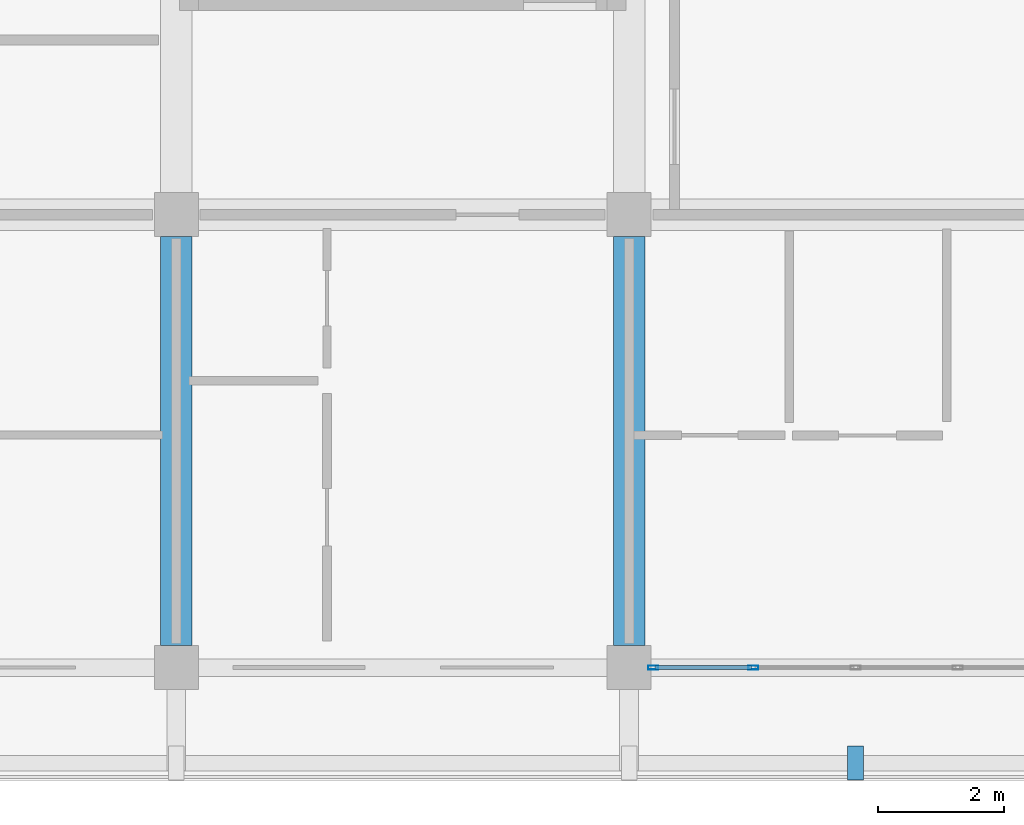
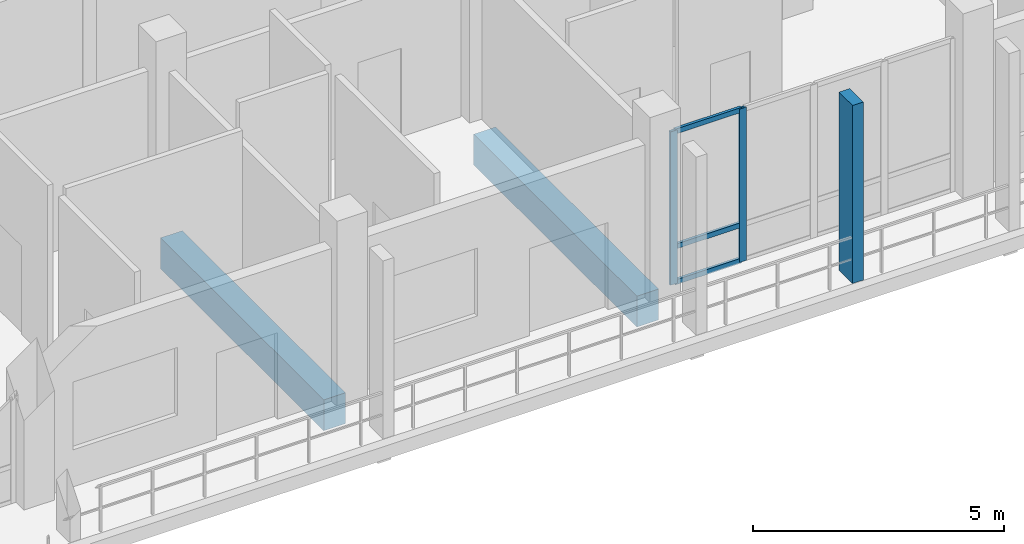
# One storey, part 48 of 110: 6 members, 2 beams, 1 element without a shape of its own.
"""IFC4 building model written with IfcOpenShell, lengths in metres."""

from ifc_helpers import new_model, si_unit, direction, frame, origin, origin_2d, place, context, subcontext, project, spatial, rectangle, hollow_rectangle, extrude, material, material_profile, profile_set, type_object, element, aggregate, save


model = new_model("IFC4")

# Units and contexts
model_context = context("Model", 3, precision=1e-05, world=origin(), true_north=direction((0.0, 1.0)))
body_context = subcontext(model_context, "Body", "Model", "MODEL_VIEW")
ifc_project = project(units=[si_unit("LENGTHUNIT", "METRE"), si_unit("AREAUNIT", "SQUARE_METRE"), si_unit("VOLUMEUNIT", "CUBIC_METRE"), si_unit("PLANEANGLEUNIT", "RADIAN"), si_unit("MASSUNIT", "GRAM", prefix="KILO")], contexts=[model_context])

# Site, building, storey
site_placement = place(None, origin())
site = spatial("IfcSite", under=ifc_project, at=site_placement, CompositionType="ELEMENT")
building_placement = place(site_placement, origin())
building = spatial("IfcBuilding", under=site, at=building_placement, Name="Suanplinth Sawtooth Commons", CompositionType="ELEMENT")
storey_placement = place(building_placement, frame((0.0, 0.0, 4.5)))
storey = spatial("IfcBuildingStorey", under=building, at=storey_placement, Name="L01", CompositionType="ELEMENT", Elevation=4.5)

# Beams
ifc_material_1 = material(Name="Concrete C40/50", Category="concrete")
ifc_material_profile_1 = material_profile(ifc_material_1, rectangle(XDim=0.5, YDim=0.75, at=origin_2d()), Name="RC-GDR 500x750")
ifc_profile_set_1 = profile_set([ifc_material_profile_1], Name="Concrete C40/50")
beam_type = type_object("IfcBeamType", Name="B-03", PredefinedType="USERDEFINED", material=ifc_profile_set_1)
for number, where, z_axis, x_axis, name in (
    (1, (158.39990234375, 0.35009765625, -0.675048828125), (0.0, 1.0, 0.0), (-1.0, 0.0, 0.0), "BMY-L01-C-22-0"),
    (2, (165.60009765625, 0.35009765625, -0.675048828125), (0.0, 1.0, 0.0), (-1.0, 0.0, 0.0), "BMY-L01-C-23-0"),
):
    element("IfcBeam", number, at=place(storey_placement, frame(where, z_axis=z_axis, x_axis=x_axis)), inside=storey, type_object=beam_type, Name=name, ObjectType="GIRDER", PredefinedType="USERDEFINED", context=body_context, shape_type="SweptSolid", body=[
        extrude(rectangle(XDim=0.5, YDim=0.75, at=origin_2d()), origin(), (0.0, 0.0, 1.0), 6.5),
    ])

# Member
ifc_material_2 = material(Name="Pigmented precast concrete C40/50", Category="concrete")
ifc_material_profile_2 = material_profile(ifc_material_2, rectangle(XDim=0.25, YDim=0.5400390625, at=origin_2d()), Name="PC-FIN 250x540")
ifc_profile_set_2 = profile_set([ifc_material_profile_2], Name="Pigmented precast concrete C40/50")
member_type_1 = type_object("IfcMemberType", Name="M-11", PredefinedType="USERDEFINED", material=ifc_profile_set_2)
member_1_placement = place(storey_placement, frame((169.199951171875, -1.52001953125, 0.0), z_axis=(0.0, 0.0, 1.0), x_axis=(1.0, 0.0, 0.0)))
element("IfcMember", 3, at=member_1_placement, inside=storey, type_object=member_type_1, Name="Upright Solar Blade L01-C-S-07", ObjectType="SHADING FIN", PredefinedType="USERDEFINED", context=body_context, shape_type="SweptSolid", body=[
    extrude(rectangle(XDim=0.25, YDim=0.5400390625, at=origin_2d()), origin(), (0.0, 0.0, 1.0), 4.330078125),
])

# Curtain wall, members
ifc_material_3 = material(Name="Anodized aluminium and low-E glazing", Category="aluminium")
curtain_wall_type = type_object("IfcCurtainWallType", Name="CW-06", PredefinedType="USERDEFINED", material=ifc_material_3)
curtain_wall_placement = place(storey_placement, origin())
curtain_wall = element("IfcCurtainWall", 4, at=curtain_wall_placement, inside=storey, type_object=curtain_wall_type, Name="Curtain Wall CW-L01-C-LOUNGE-23", ObjectType="CURTAIN WALL", PredefinedType="USERDEFINED")
ifc_material_4 = material(Name="Anodized aluminium 6063-T6", Category="aluminium")
ifc_material_profile_3 = material_profile(ifc_material_4, hollow_rectangle(XDim=0.06494140625, YDim=0.159912109375, WallThickness=0.00390625, at=origin_2d()), Name="ALU-MUL 65x160")
ifc_profile_set_3 = profile_set([ifc_material_profile_3], Name="Anodized aluminium 6063-T6")
member_type_2 = type_object("IfcMemberType", Name="M-13", PredefinedType="MULLION", material=ifc_profile_set_3)
member_2_placement = place(storey_placement, frame((165.982421875, 0.0, 0.0), z_axis=(0.0, 0.0, 1.0), x_axis=(0.0, 1.0, 0.0)))
member_2 = element("IfcMember", 5, at=member_2_placement, type_object=member_type_2, Name="CW-06 mullion 1", PredefinedType="MULLION", context=body_context, shape_type="SweptSolid", body=[
    extrude(hollow_rectangle(XDim=0.06494140625, YDim=0.159912109375, WallThickness=0.00390625, at=origin_2d()), origin(), (0.0, 0.0, 1.0), 3.72998046875),
])
member_3_placement = place(storey_placement, frame((167.574951171875, 0.0, 0.0), z_axis=(0.0, 0.0, 1.0), x_axis=(0.0, 1.0, 0.0)))
member_3 = element("IfcMember", 6, at=member_3_placement, type_object=member_type_2, Name="CW-06 mullion 2", PredefinedType="MULLION", context=body_context, shape_type="SweptSolid", body=[
    extrude(hollow_rectangle(XDim=0.06494140625, YDim=0.159912109375, WallThickness=0.00390625, at=origin_2d()), origin(), (0.0, 0.0, 1.0), 3.72998046875),
])
ifc_material_profile_4 = material_profile(ifc_material_4, hollow_rectangle(XDim=0.06494140625, YDim=0.1201171875, WallThickness=0.00390625, at=origin_2d()), Name="ALU-TRN 65x120")
ifc_profile_set_4 = profile_set([ifc_material_profile_4], Name="Anodized aluminium 6063-T6")
member_type_3 = type_object("IfcMemberType", Name="M-15", PredefinedType="USERDEFINED", material=ifc_profile_set_4)
member_4_placement = place(storey_placement, frame((166.014892578125, 0.0, 0.032470703125), z_axis=(1.0, 0.0, 0.0), x_axis=(0.0, 1.0, 0.0)))
member_4 = element("IfcMember", 7, at=member_4_placement, type_object=member_type_3, Name="CW-06 transom 1.1", ObjectType="TRANSOM", PredefinedType="USERDEFINED", context=body_context, shape_type="SweptSolid", body=[
    extrude(hollow_rectangle(XDim=0.06494140625, YDim=0.1201171875, WallThickness=0.00390625, at=origin_2d()), origin(), (0.0, 0.0, 1.0), 1.527587890625),
])
member_5_placement = place(storey_placement, frame((166.014892578125, 0.0, 0.89990234375), z_axis=(1.0, 0.0, 0.0), x_axis=(0.0, 1.0, 0.0)))
member_5 = element("IfcMember", 8, at=member_5_placement, type_object=member_type_3, Name="CW-06 transom 1.2", ObjectType="TRANSOM", PredefinedType="USERDEFINED", context=body_context, shape_type="SweptSolid", body=[
    extrude(hollow_rectangle(XDim=0.06494140625, YDim=0.1201171875, WallThickness=0.00390625, at=origin_2d()), origin(), (0.0, 0.0, 1.0), 1.527587890625),
])
member_6_placement = place(storey_placement, frame((166.014892578125, 0.0, 3.697509765625), z_axis=(1.0, 0.0, 0.0), x_axis=(0.0, 1.0, 0.0)))
member_6 = element("IfcMember", 9, at=member_6_placement, type_object=member_type_3, Name="CW-06 transom 1.3", ObjectType="TRANSOM", PredefinedType="USERDEFINED", context=body_context, shape_type="SweptSolid", body=[
    extrude(hollow_rectangle(XDim=0.06494140625, YDim=0.1201171875, WallThickness=0.00390625, at=origin_2d()), origin(), (0.0, 0.0, 1.0), 1.527587890625),
])
aggregate(curtain_wall, [member_2, member_3, member_4, member_5, member_6])

save(model, "model.ifc")
